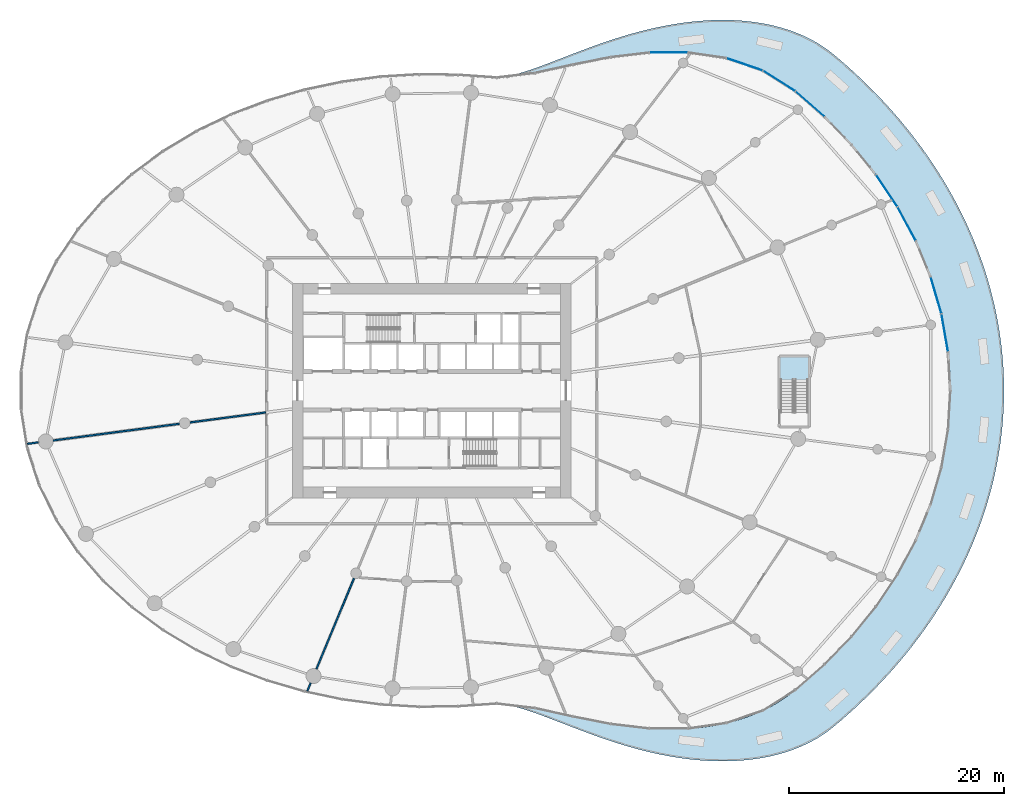
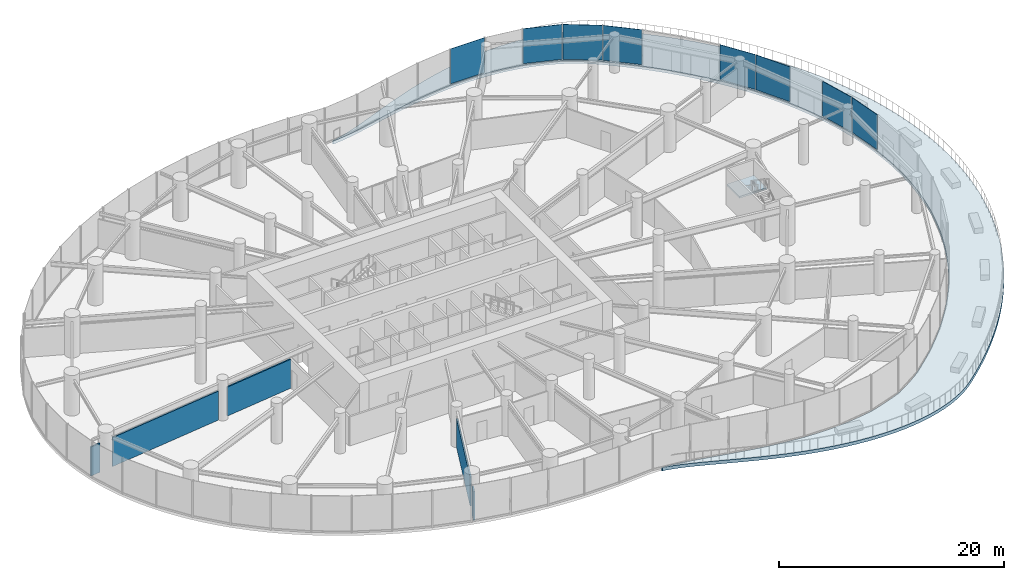
# One storey, part 11 of 21: 8 plates, 5 walls, 2 slabs, 4 elements without a shape of their own.
"""IFC4 building model written with IfcOpenShell, lengths in metres."""

from ifc_helpers import new_model, si_unit, direction, frame, frame_2d, origin, origin_2d, place, context, subcontext, project, spatial, line, indexed_curve, rectangle, outline, extrude, source, transform, mapped, material, layer, layer_set, type_object, element, aggregate, save


model = new_model("IFC4")

# Units and contexts
model_context = context("Model", 3, precision=1e-05, world=origin(), true_north=direction((0.0, 1.0)))
body_context = subcontext(model_context, "Body", "Model", "MODEL_VIEW")
ifc_project = project(units=[si_unit("LENGTHUNIT", "METRE"), si_unit("AREAUNIT", "SQUARE_METRE"), si_unit("VOLUMEUNIT", "CUBIC_METRE"), si_unit("PLANEANGLEUNIT", "RADIAN"), si_unit("MASSUNIT", "GRAM", prefix="KILO")], contexts=[model_context])

# Site, building, storey
site_placement = place(None, origin())
site = spatial("IfcSite", under=ifc_project, at=site_placement, CompositionType="ELEMENT")
building_placement = place(site_placement, origin())
building = spatial("IfcBuilding", under=site, at=building_placement, Name="Spindrift Exchange Tower", CompositionType="ELEMENT")
storey_placement = place(building_placement, frame((0.0, 0.0, 9.39990234375)))
storey = spatial("IfcBuildingStorey", under=building, at=storey_placement, Name="L02", CompositionType="ELEMENT", Elevation=9.39990234375)

# Slab
ifc_material_1 = material(Name="Concrete 40 MPa", Category="concrete")
ifc_layer_1 = layer(ifc_material_1, 0.35009765625)
ifc_layer_set_1 = layer_set([ifc_layer_1], Name="RC Terrace Slab 350 Concrete 40 MPa")
slab_type_1 = type_object("IfcSlabType", Name="RC Terrace Slab 350 Concrete 40 MPa", PredefinedType="FLOOR", material=ifc_layer_set_1)
slab_1_placement = place(storey_placement, frame((0.0, 0.0, -0.349853515625)))
element("IfcSlab", 1, at=slab_1_placement, inside=storey, type_object=slab_type_1, Name="Podium terrace L01", PredefinedType="FLOOR", context=body_context, shape_type="SweptSolid", body=[
    extrude(outline(indexed_curve([(59.005126953125, 77.2216796875), (58.97265625, 77.230712890625), (58.9521484375, 77.262939453125), (58.957763671875, 77.296142578125), (58.9833984375, 77.318115234375), (59.32568359375, 77.379638671875), (59.9091796875, 77.515380859375), (60.511962890625, 77.68359375), (61.1357421875, 77.880859375), (61.78125, 78.103515625), (62.44970703125, 78.34765625), (65.3583984375, 79.470458984375), (66.953857421875, 80.069091796875), (67.7861328125, 80.36572265625), (68.638671875, 80.656005859375), (69.51220703125, 80.936279296875), (70.406005859375, 81.204345703125), (71.315185546875, 81.455810546875), (72.24267578125, 81.688720703125), (73.183349609375, 81.8994140625), (74.134521484375, 82.0849609375), (75.0966796875, 82.243408203125), (76.06640625, 82.37158203125), (77.041015625, 82.46728515625), (78.019775390625, 82.5283203125), (78.993896484375, 82.552001953125), (79.96630859375, 82.536865234375), (80.931640625, 82.480712890625), (81.886474609375, 82.382080078125), (82.82763671875, 82.2392578125), (83.75146484375, 82.051025390625), (84.654052734375, 81.816162109375), (85.531982421875, 81.53369140625), (86.380615234375, 81.202880859375), (87.1962890625, 80.8232421875), (87.97509765625, 80.394287109375), (88.71240234375, 79.916015625), (89.40478515625, 79.3876953125), (90.0693359375, 78.828369140625), (90.725830078125, 78.25634765625), (91.37451171875, 77.67138671875), (92.015625, 77.072509765625), (92.64697265625, 76.4619140625), (93.2705078125, 75.8369140625), (93.884033203125, 75.19921875), (94.487548828125, 74.548583984375), (95.079833984375, 73.885498046875), (95.66259765625, 73.2080078125), (96.233154296875, 72.518310546875), (96.79150390625, 71.815673828125), (97.337646484375, 71.10009765625), (97.87060546875, 70.3720703125), (98.3896484375, 69.63134765625), (98.894775390625, 68.87841796875), (99.384521484375, 68.114013671875), (99.85986328125, 67.3359375), (100.318603515625, 66.547119140625), (100.760986328125, 65.7470703125), (101.185791015625, 64.9365234375), (101.59326171875, 64.114501953125), (101.982666015625, 63.28173828125), (102.353271484375, 62.439208984375), (102.704833984375, 61.585693359375), (103.0361328125, 60.72412109375), (103.34716796875, 59.853759765625), (103.63720703125, 58.97509765625), (103.906005859375, 58.0888671875), (104.15283203125, 57.1953125), (104.37744140625, 56.295166015625), (104.579345703125, 55.39013671875), (104.7587890625, 54.477294921875), (104.914794921875, 53.56103515625), (105.04736328125, 52.640380859375), (105.156005859375, 51.717529296875), (105.240478515625, 50.790771484375), (105.301513671875, 49.862060546875), (105.337890625, 48.931640625), (105.35009765625, 47.999267578125), (105.337890625, 47.068359375), (105.301513671875, 46.137939453125), (105.24072265625, 45.21044921875), (105.156005859375, 44.28369140625), (105.04736328125, 43.359619140625), (104.914794921875, 42.43896484375), (104.7587890625, 41.521484375), (104.579345703125, 40.60986328125), (104.377197265625, 39.70361328125), (104.15283203125, 38.8046875), (103.906005859375, 37.9111328125), (103.63720703125, 37.02490234375), (103.34716796875, 36.146240234375), (103.03564453125, 35.274658203125), (102.704345703125, 34.4130859375), (102.353271484375, 33.560791015625), (101.983154296875, 32.71923828125), (101.59375, 31.88671875), (101.186279296875, 31.064453125), (100.760498046875, 30.251953125), (100.318603515625, 29.452880859375), (99.85986328125, 28.6640625), (99.385009765625, 27.886962890625), (98.894775390625, 27.12158203125), (98.3896484375, 26.36865234375), (97.87060546875, 25.6279296875), (97.337646484375, 24.89990234375), (96.791015625, 24.18359375), (96.233154296875, 23.481689453125), (95.661865234375, 22.791259765625), (95.079833984375, 22.114501953125), (94.487548828125, 21.451416015625), (93.884033203125, 20.80078125), (93.2705078125, 20.1630859375), (92.64697265625, 19.5380859375), (92.01513671875, 18.9267578125), (91.375, 18.329345703125), (90.726318359375, 17.744140625), (90.06982421875, 17.172119140625), (89.406494140625, 16.61376953125), (88.71240234375, 16.083984375), (87.97509765625, 15.605712890625), (87.1962890625, 15.1767578125), (86.383544921875, 14.79833984375), (85.531982421875, 14.46630859375), (84.654052734375, 14.183837890625), (83.754150390625, 13.94970703125), (82.82763671875, 13.7607421875), (81.886474609375, 13.617919921875), (80.933837890625, 13.51953125), (79.96630859375, 13.463134765625), (78.993896484375, 13.447998046875), (78.019775390625, 13.4716796875), (77.041015625, 13.53271484375), (76.068115234375, 13.628173828125), (75.098388671875, 13.756591796875), (74.134521484375, 13.9150390625), (73.183349609375, 14.1005859375), (72.24267578125, 14.311279296875), (71.315185546875, 14.544189453125), (70.406005859375, 14.795654296875), (69.51318359375, 15.0634765625), (68.638671875, 15.343994140625), (67.7861328125, 15.63427734375), (66.953857421875, 15.930908203125), (65.3583984375, 16.529541015625), (63.141357421875, 17.389892578125), (61.781005859375, 17.896728515625), (61.1357421875, 18.119140625), (60.51123046875, 18.316650390625), (59.908203125, 18.48486328125), (59.32568359375, 18.620361328125), (58.98779296875, 18.68017578125), (58.957763671875, 18.703857421875), (58.9521484375, 18.737060546875), (58.968994140625, 18.766357421875), (59.000244140625, 18.7783203125), (59.292236328125, 18.75634765625), (59.853759765625, 18.692138671875), (60.428466796875, 18.6083984375), (61.016357421875, 18.50732421875), (62.239501953125, 18.2626953125), (65.571533203125, 17.517578125), (67.014404296875, 17.21630859375), (67.7578125, 17.07421875), (68.514404296875, 16.94091796875), (69.283935546875, 16.818603515625), (70.066162109375, 16.708984375), (70.8583984375, 16.614990234375), (71.659912109375, 16.537841796875), (72.46923828125, 16.479736328125), (73.285400390625, 16.442626953125), (74.107177734375, 16.42822265625), (74.9306640625, 16.43798828125), (75.757080078125, 16.473876953125), (76.58203125, 16.537109375), (77.404296875, 16.629150390625), (78.221435546875, 16.751220703125), (79.030517578125, 16.904296875), (79.831787109375, 17.09033203125), (80.618896484375, 17.30908203125), (81.393798828125, 17.5625), (82.14892578125, 17.85009765625), (82.88671875, 18.173828125), (83.59912109375, 18.532470703125), (84.28857421875, 18.92822265625), (84.947021484375, 19.35888671875), (85.575927734375, 19.8271484375), (86.18408203125, 20.318603515625), (86.785888671875, 20.822021484375), (87.3818359375, 21.338134765625), (87.970458984375, 21.8662109375), (88.551513671875, 22.406005859375), (89.125244140625, 22.958984375), (89.690673828125, 23.523681640625), (90.24658203125, 24.1005859375), (90.794189453125, 24.689697265625), (91.332275390625, 25.291748046875), (91.859619140625, 25.9052734375), (92.376708984375, 26.531494140625), (92.882568359375, 27.169677734375), (93.3759765625, 27.8193359375), (93.858154296875, 28.4814453125), (94.326904296875, 29.155029296875), (94.781982421875, 29.83984375), (95.2236328125, 30.53662109375), (95.650634765625, 31.244384765625), (96.062255859375, 31.96240234375), (96.45849609375, 32.69189453125), (96.83837890625, 33.431396484375), (97.201416015625, 34.180419921875), (97.547119140625, 34.93994140625), (97.875, 35.7080078125), (98.184326171875, 36.484619140625), (98.47509765625, 37.270751953125), (98.746337890625, 38.064208984375), (98.997314453125, 38.8642578125), (99.228759765625, 39.672607421875), (99.43896484375, 40.48681640625), (99.628173828125, 41.305908203125), (99.796142578125, 42.131591796875), (99.942138671875, 42.96142578125), (100.06640625, 43.79443359375), (100.168212890625, 44.632080078125), (100.24755859375, 45.4716796875), (100.304443359375, 46.31298828125), (100.338623046875, 47.156005859375), (100.35009765625, 48.000244140625), (100.338623046875, 48.843505859375), (100.304443359375, 49.6865234375), (100.24755859375, 50.5283203125), (100.168212890625, 51.368408203125), (100.06640625, 52.20556640625), (99.942138671875, 53.03857421875), (99.796142578125, 53.868408203125), (99.628173828125, 54.694091796875), (99.43896484375, 55.51318359375), (99.228759765625, 56.327392578125), (98.997314453125, 57.1357421875), (98.746337890625, 57.935791015625), (98.47509765625, 58.729248046875), (98.184326171875, 59.515380859375), (97.875, 60.2919921875), (97.547119140625, 61.06005859375), (97.201416015625, 61.819580078125), (96.83837890625, 62.568603515625), (96.458251953125, 63.30859375), (96.0625, 64.037109375), (95.650634765625, 64.755615234375), (95.2236328125, 65.46337890625), (94.781982421875, 66.16015625), (94.326904296875, 66.844970703125), (93.858154296875, 67.5185546875), (93.37646484375, 68.180419921875), (92.882568359375, 68.830322265625), (92.376708984375, 69.468505859375), (91.85986328125, 70.094482421875), (91.332275390625, 70.708251953125), (90.79443359375, 71.309814453125), (90.2470703125, 71.899169921875), (89.690673828125, 72.476318359375), (89.125244140625, 73.041015625), (88.551513671875, 73.593994140625), (87.970458984375, 74.1337890625), (87.38134765625, 74.662109375), (86.785888671875, 75.177978515625), (86.18408203125, 75.681396484375), (85.575927734375, 76.1728515625), (84.947021484375, 76.64111328125), (84.287353515625, 77.072509765625), (83.59912109375, 77.467529296875), (82.885498046875, 77.82666015625), (82.150146484375, 78.1494140625), (81.392578125, 78.437744140625), (80.618896484375, 78.69091796875), (79.830810546875, 78.909912109375), (79.030517578125, 79.095703125), (78.220458984375, 79.2490234375), (77.4033203125, 79.37109375), (76.581298828125, 79.462890625), (75.757080078125, 79.526123046875), (74.9306640625, 79.56201171875), (74.107177734375, 79.57177734375), (73.285400390625, 79.557373046875), (72.46923828125, 79.520263671875), (71.659912109375, 79.462158203125), (70.8583984375, 79.385009765625), (70.0654296875, 79.291015625), (69.284423828125, 79.181396484375), (68.5146484375, 79.05908203125), (67.75732421875, 78.92578125), (66.28564453125, 78.63525390625), (64.87353515625, 78.327880859375), (62.873779296875, 77.8759765625), (61.6201171875, 77.608642578125), (61.017333984375, 77.492919921875), (60.42724609375, 77.391357421875), (59.852294921875, 77.3076171875), (59.292236328125, 77.24365234375)], segments=[line(1, 2, 3, 4, 5, 6, 7, 8, 9, 10, 11, 12, 13, 14, 15, 16, 17, 18, 19, 20, 21, 22, 23, 24, 25, 26, 27, 28, 29, 30, 31, 32, 33, 34, 35, 36, 37, 38, 39, 40, 41, 42, 43, 44, 45, 46, 47, 48, 49, 50, 51, 52, 53, 54, 55, 56, 57, 58, 59, 60, 61, 62, 63, 64, 65, 66, 67, 68, 69, 70, 71, 72, 73, 74, 75, 76, 77, 78, 79, 80, 81, 82, 83, 84, 85, 86, 87, 88, 89, 90, 91, 92, 93, 94, 95, 96, 97, 98, 99, 100, 101, 102, 103, 104, 105, 106, 107, 108, 109, 110, 111, 112, 113, 114, 115, 116, 117, 118, 119, 120, 121, 122, 123, 124, 125, 126, 127, 128, 129, 130, 131, 132, 133, 134, 135, 136, 137, 138, 139, 140, 141, 142, 143, 144, 145, 146, 147, 148, 149, 150, 151, 152, 153, 154, 155, 156, 157, 158, 159, 160, 161, 162, 163, 164, 165, 166, 167, 168, 169, 170, 171, 172, 173, 174, 175, 176, 177, 178, 179, 180, 181, 182, 183, 184, 185, 186, 187, 188, 189, 190, 191, 192, 193, 194, 195, 196, 197, 198, 199, 200, 201, 202, 203, 204, 205, 206, 207, 208, 209, 210, 211, 212, 213, 214, 215, 216, 217, 218, 219, 220, 221, 222, 223, 224, 225, 226, 227, 228, 229, 230, 231, 232, 233, 234, 235, 236, 237, 238, 239, 240, 241, 242, 243, 244, 245, 246, 247, 248, 249, 250, 251, 252, 253, 254, 255, 256, 257, 258, 259, 260, 261, 262, 263, 264, 265, 266, 267, 268, 269, 270, 271, 272, 273, 274, 275, 276, 277, 278, 279, 280, 281, 282, 283, 284, 285, 286, 287, 288, 289, 290, 291, 292, 293, 294, 295, 296, 297, 1)], self_intersect=False)), origin(), (0.0, 0.0, 1.0), 0.349853515625),
])

# Stair, slab
ifc_material_2 = material(Name="Concrete 50 MPa", Category="concrete")
stair_type = type_object("IfcStairType", Name="ST-1250-R183", PredefinedType="HALF_TURN_STAIR", material=ifc_material_2)
stair_placement = place(storey_placement, origin())
stair = element("IfcStair", 2, at=stair_placement, inside=storey, type_object=stair_type, Name="L02 Exit stair ST5", PredefinedType="HALF_TURN_STAIR")
ifc_layer_2 = layer(ifc_material_2, 0.199951171875)
ifc_layer_set_2 = layer_set([ifc_layer_2], Name="SL-LANDING")
slab_type_2 = type_object("IfcSlabType", Name="SL-LANDING", PredefinedType="LANDING", material=ifc_layer_set_2)
slab_2_placement = place(storey_placement, frame((0.0, 0.0, 2.0)))
slab_2 = element("IfcSlab", 3, at=slab_2_placement, type_object=slab_type_2, Name="ST5 landing 1", PredefinedType="LANDING", context=body_context, shape_type="SweptSolid", body=[
    extrude(outline(indexed_curve([(84.39990234375, 48.949951171875), (84.39990234375, 51.199951171875), (87.199951171875, 51.199951171875), (87.199951171875, 48.949951171875)], segments=[line(1, 2, 3, 4, 1)], self_intersect=False)), origin(), (0.0, 0.0, 1.0), 0.2001953125),
])
aggregate(stair, [slab_2])

# Curtain wall, plates
ifc_material_3 = material(Name="Fritted laminated glass with bronze frame", Category="glass")
ifc_layer_3 = layer(ifc_material_3, 0.219970703125)
ifc_layer_set_3 = layer_set([ifc_layer_3], Name="PODIUM BRONZE GLAZED WALL")
curtain_wall_type = type_object("IfcCurtainWallType", Name="PODIUM BRONZE GLAZED WALL", PredefinedType="NOTDEFINED", material=ifc_layer_set_3)
curtain_wall_1_placement = place(storey_placement, origin())
curtain_wall_1 = element("IfcCurtainWall", 4, at=curtain_wall_1_placement, inside=storey, type_object=curtain_wall_type, Name="L02 Podium Bronze Glazed Wall run 1", PredefinedType="NOTDEFINED")
ifc_material_4 = material(Name="Bronze fritted laminated glass, open frit", Category="glass")
ifc_layer_4 = layer(ifc_material_4, 0.0400390625)
ifc_layer_set_4 = layer_set([ifc_layer_4], Name="PODIUM BRONZE GLAZED WALL PANEL OPEN FRIT 600")
plate_type_1 = type_object("IfcPlateType", Name="PODIUM BRONZE GLAZED WALL PANEL OPEN FRIT 600", PredefinedType="CURTAIN_PANEL", material=ifc_layer_set_4)
shared_shape_1 = source(origin(), body_context, "Body", "SweptSolid", [
    extrude(rectangle(XDim=3.5185546875, YDim=0.0400390625, at=origin_2d()), origin(), (0.0, 0.0, 1.0), 3.7900390625),
])
plate_1_placement = place(storey_placement, frame((99.830322265625, 53.3798828125, 0.16015625), z_axis=(0.0, 0.0, 1.0), x_axis=(-0.171427030658, 0.985196819504, 0.0)))
plate_1 = element("IfcPlate", 5, at=plate_1_placement, type_object=plate_type_1, Name="L02 panel CW-P.2", PredefinedType="CURTAIN_PANEL", context=body_context, shape_type="MappedRepresentation", body=[
    mapped(shared_shape_1, transform((0.0, 0.0, 0.0), scale=1.0)),
])
ifc_layer_5 = layer(ifc_material_4, 0.0400390625)
ifc_layer_set_5 = layer_set([ifc_layer_5], Name="PODIUM BRONZE GLAZED WALL PANEL OPEN FRIT 480")
plate_type_2 = type_object("IfcPlateType", Name="PODIUM BRONZE GLAZED WALL PANEL OPEN FRIT 480", PredefinedType="CURTAIN_PANEL", material=ifc_layer_set_5)
shared_shape_2 = source(origin(), body_context, "Body", "SweptSolid", [
    extrude(rectangle(XDim=3.5185546875, YDim=0.0400390625, at=origin_2d()), origin(), (0.0, 0.0, 1.0), 3.7900390625),
])
plate_2_placement = place(storey_placement, frame((99.016357421875, 56.889892578125, 0.16015625), z_axis=(0.0, 0.0, 1.0), x_axis=(-0.279716746711, 0.960082570204, 0.0)))
plate_2 = element("IfcPlate", 6, at=plate_2_placement, type_object=plate_type_2, Name="L02 panel CW-P.3", PredefinedType="CURTAIN_PANEL", context=body_context, shape_type="MappedRepresentation", body=[
    mapped(shared_shape_2, transform((0.0, 0.0, 0.0), scale=1.0)),
])
ifc_layer_6 = layer(ifc_material_4, 0.0400390625)
ifc_layer_set_6 = layer_set([ifc_layer_6], Name="PODIUM BRONZE GLAZED WALL PANEL OPEN FRIT 360")
plate_type_3 = type_object("IfcPlateType", Name="PODIUM BRONZE GLAZED WALL PANEL OPEN FRIT 360", PredefinedType="CURTAIN_PANEL", material=ifc_layer_set_6)
shared_shape_3 = source(origin(), body_context, "Body", "SweptSolid", [
    extrude(rectangle(XDim=3.51904296875, YDim=0.0400390625, at=origin_2d()), origin(), (0.0, 0.0, 1.0), 3.7900390625),
])
plate_3_placement = place(storey_placement, frame((96.278076171875, 63.54638671875, 0.16015625), z_axis=(0.0, 0.0, 1.0), x_axis=(-0.47447849006, 0.880267097232, 0.0)))
plate_3 = element("IfcPlate", 7, at=plate_3_placement, type_object=plate_type_3, Name="L02 panel CW-P.5", PredefinedType="CURTAIN_PANEL", context=body_context, shape_type="MappedRepresentation", body=[
    mapped(shared_shape_3, transform((0.0, 0.0, 0.0), scale=1.0)),
])
shared_shape_4 = source(origin(), body_context, "Body", "SweptSolid", [
    extrude(rectangle(XDim=3.519287109375, YDim=0.0400390625, at=origin_2d()), origin(), (0.0, 0.0, 1.0), 3.7900390625),
])
plate_4_placement = place(storey_placement, frame((94.416748046875, 66.633544921875, 0.16015625), z_axis=(0.0, 0.0, 1.0), x_axis=(-0.557045215485, 0.830482165917, 0.0)))
plate_4 = element("IfcPlate", 8, at=plate_4_placement, type_object=plate_type_1, Name="L02 panel CW-P.6", PredefinedType="CURTAIN_PANEL", context=body_context, shape_type="MappedRepresentation", body=[
    mapped(shared_shape_4, transform((0.0, 0.0, 0.0), scale=1.0)),
])
aggregate(curtain_wall_1, [plate_1, plate_2, plate_3, plate_4])

curtain_wall_2_placement = place(storey_placement, origin())
curtain_wall_2 = element("IfcCurtainWall", 9, at=curtain_wall_2_placement, inside=storey, type_object=curtain_wall_type, Name="L02 Podium Bronze Glazed Wall run 2", PredefinedType="NOTDEFINED")
shared_shape_5 = source(origin(), body_context, "Body", "SweptSolid", [
    extrude(rectangle(XDim=3.519775390625, YDim=0.0400390625, at=origin_2d()), origin(), (0.0, 0.0, 1.0), 3.7900390625),
])
plate_5_placement = place(storey_placement, frame((87.265380859375, 74.71484375, 0.16015625), z_axis=(0.0, 0.0, 1.0), x_axis=(-0.752037706991, 0.659120085616, 0.0)))
plate_5 = element("IfcPlate", 10, at=plate_5_placement, type_object=plate_type_2, Name="L02 panel CW-P.9", PredefinedType="CURTAIN_PANEL", context=body_context, shape_type="MappedRepresentation", body=[
    mapped(shared_shape_5, transform((0.0, 0.0, 0.0), scale=1.0)),
])
shared_shape_6 = source(origin(), body_context, "Body", "SweptSolid", [
    extrude(rectangle(XDim=3.510498046875, YDim=0.0400390625, at=origin_2d()), origin(), (0.0, 0.0, 1.0), 3.7900390625),
])
plate_6_placement = place(storey_placement, frame((84.38818359375, 76.869384765625, 0.16015625), z_axis=(0.0, 0.0, 1.0), x_axis=(-0.844241876753, 0.535962362052, 0.0)))
plate_6 = element("IfcPlate", 11, at=plate_6_placement, type_object=plate_type_1, Name="L02 panel CW-P.10", PredefinedType="CURTAIN_PANEL", context=body_context, shape_type="MappedRepresentation", body=[
    mapped(shared_shape_6, transform((0.0, 0.0, 0.0), scale=1.0)),
])
shared_shape_7 = source(origin(), body_context, "Body", "SweptSolid", [
    extrude(rectangle(XDim=3.513916015625, YDim=0.0400390625, at=origin_2d()), origin(), (0.0, 0.0, 1.0), 3.7900390625),
])
plate_7_placement = place(storey_placement, frame((81.16259765625, 78.415283203125, 0.16015625), z_axis=(0.0, 0.0, 1.0), x_axis=(-0.946556415005, 0.32253829728, 0.0)))
plate_7 = element("IfcPlate", 12, at=plate_7_placement, type_object=plate_type_3, Name="L02 panel CW-P.11", PredefinedType="CURTAIN_PANEL", context=body_context, shape_type="MappedRepresentation", body=[
    mapped(shared_shape_7, transform((0.0, 0.0, 0.0), scale=1.0)),
])
aggregate(curtain_wall_2, [plate_5, plate_6, plate_7])

# Curtain wall, plate
curtain_wall_3_placement = place(storey_placement, origin())
curtain_wall_3 = element("IfcCurtainWall", 13, at=curtain_wall_3_placement, inside=storey, type_object=curtain_wall_type, Name="L02 Podium Bronze Glazed Wall run 3", PredefinedType="NOTDEFINED")
shared_shape_8 = source(origin(), body_context, "Body", "SweptSolid", [
    extrude(rectangle(XDim=3.517822265625, YDim=0.0400390625, at=origin_2d()), origin(), (0.0, 0.0, 1.0), 3.7900390625),
])
plate_8_placement = place(storey_placement, frame((74.08447265625, 79.51123046875, 0.16015625), z_axis=(0.0, 0.0, 1.0), x_axis=(-0.999996531809, -0.002633698797, 0.0)))
plate_8 = element("IfcPlate", 14, at=plate_8_placement, type_object=plate_type_2, Name="L02 panel CW-P.13", PredefinedType="CURTAIN_PANEL", context=body_context, shape_type="MappedRepresentation", body=[
    mapped(shared_shape_8, transform((0.0, 0.0, 0.0), scale=1.0)),
])
aggregate(curtain_wall_3, [plate_8])

# Walls
ifc_material_5 = material(Name="Fire-rated plasterboard partition", Category="gypsum")
ifc_layer_7 = layer(ifc_material_5, 0.139892578125)
ifc_layer_set_7 = layer_set([ifc_layer_7], Name="W-PLANT-140")
wall_type = type_object("IfcWallType", Name="W-PLANT-140", PredefinedType="PARTITIONING", material=ifc_layer_set_7)
wall_1_placement = place(storey_placement, frame((28.466064453125, 44.901611328125, 0.0), z_axis=(0.0, 0.0, 1.0), x_axis=(-0.991446586451, -0.130513088287, 0.0)))
element("IfcWall", 15, at=wall_1_placement, inside=storey, type_object=wall_type, Name="L02 Partition wall 69", PredefinedType="PARTITIONING", context=body_context, shape_type="SweptSolid", body=[
    extrude(rectangle(XDim=11.85986328125, YDim=0.139892578125, at=frame_2d((5.929931640625, 0.0))), origin(), (0.0, 0.0, 1.0), 3.150146484375),
])
wall_2_placement = place(storey_placement, frame((44.752197265625, 30.502197265625, 0.0), z_axis=(0.0, 0.0, 1.0), x_axis=(-0.382672728165, -0.923883966264, 0.0)))
element("IfcWall", 16, at=wall_2_placement, inside=storey, type_object=wall_type, Name="L02 Partition wall 74", PredefinedType="PARTITIONING", context=body_context, shape_type="SweptSolid", body=[
    extrude(rectangle(XDim=9.15966796875, YDim=0.139892578125, at=frame_2d((4.579833984375, 0.0))), origin(), (0.0, 0.0, 1.0), 3.150146484375),
])
wall_3_placement = place(storey_placement, frame((36.510009765625, 45.960693359375, 0.0), z_axis=(0.0, 0.0, 1.0), x_axis=(-0.99144622305, -0.130515848849, 0.0)))
element("IfcWall", 17, at=wall_3_placement, inside=storey, type_object=wall_type, Name="L02 Partition wall 81", PredefinedType="PARTITIONING", context=body_context, shape_type="SweptSolid", body=[
    extrude(rectangle(XDim=7.1044921875, YDim=0.139892578125, at=frame_2d((3.55224609375, 0.0))), origin(), (0.0, 0.0, 1.0), 3.150146484375),
])
wall_4_placement = place(storey_placement, frame((15.311279296875, 43.169921875, 0.0), z_axis=(0.0, 0.0, 1.0), x_axis=(-0.991417173479, -0.130736330569, 0.0)))
element("IfcWall", 18, at=wall_4_placement, inside=storey, type_object=wall_type, Name="L02 Partition wall 129", PredefinedType="PARTITIONING", context=body_context, shape_type="SweptSolid", body=[
    extrude(rectangle(XDim=1.00830078125, YDim=0.139892578125, at=frame_2d((0.504150390625, 0.0))), origin(), (0.0, 0.0, 1.0), 3.150146484375),
])
wall_5_placement = place(storey_placement, frame((40.70751953125, 20.7373046875, 0.0), z_axis=(0.0, 0.0, 1.0), x_axis=(-0.382692107758, -0.923875938998, 0.0)))
element("IfcWall", 19, at=wall_5_placement, inside=storey, type_object=wall_type, Name="L02 Partition wall 131", PredefinedType="PARTITIONING", context=body_context, shape_type="SweptSolid", body=[
    extrude(rectangle(XDim=0.802490234375, YDim=0.139892578125, at=frame_2d((0.4013671875, 0.0))), origin(), (0.0, 0.0, 1.0), 3.150146484375),
])

save(model, "model.ifc")
